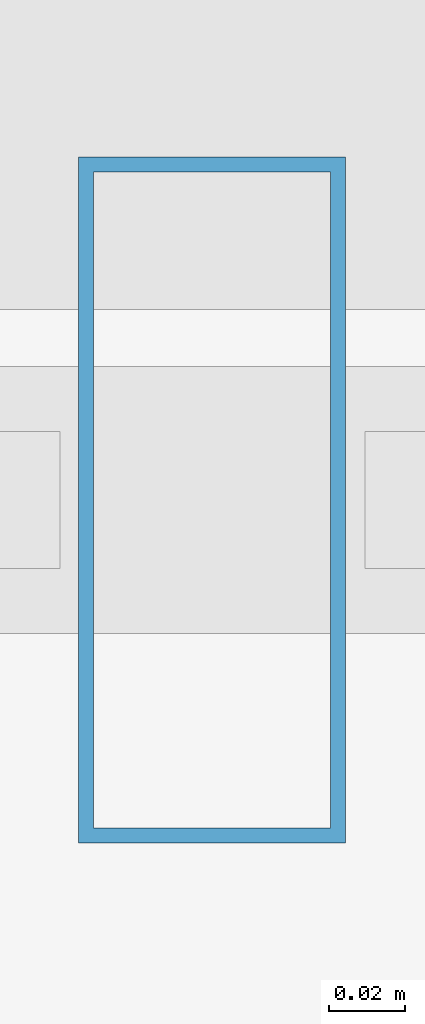
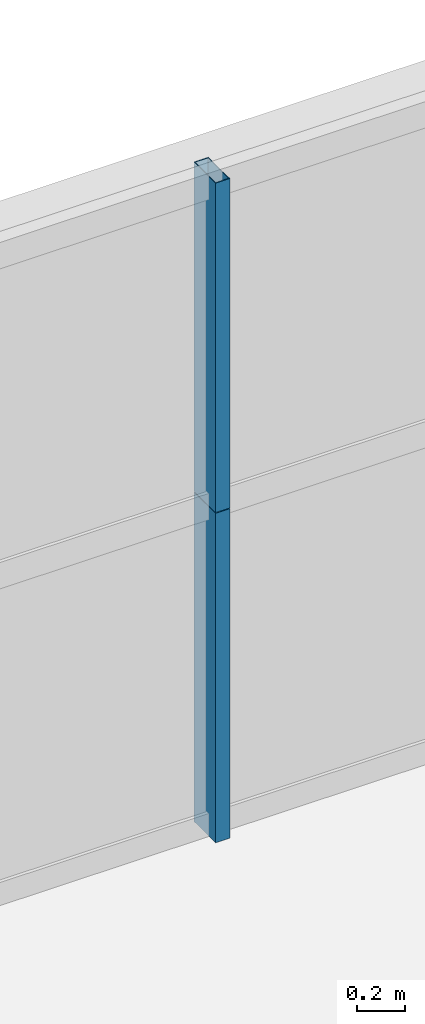
# One storey, part 30 of 46: 2 members, 1 element without a shape of its own.
"""IFC4 building model written with IfcOpenShell, lengths in metres."""

from ifc_helpers import new_model, si_unit, direction, frame, origin, origin_2d, place, context, subcontext, project, spatial, hollow_rectangle, extrude, source, transform, mapped, material, layer, layer_set, material_profile, profile_set, type_object, element, aggregate, save


model = new_model("IFC4")

# Units and contexts
model_context = context("Model", 3, precision=1e-05, world=origin(), true_north=direction((0.0, 1.0)))
body_context = subcontext(model_context, "Body", "Model", "MODEL_VIEW")
ifc_project = project(units=[si_unit("LENGTHUNIT", "METRE"), si_unit("AREAUNIT", "SQUARE_METRE"), si_unit("VOLUMEUNIT", "CUBIC_METRE"), si_unit("PLANEANGLEUNIT", "RADIAN"), si_unit("MASSUNIT", "GRAM", prefix="KILO"), si_unit("THERMODYNAMICTEMPERATUREUNIT", "KELVIN"), si_unit("POWERUNIT", "WATT")], contexts=[model_context])

# Site, building, storey
site_placement = place(None, origin())
site = spatial("IfcSite", under=ifc_project, at=site_placement, CompositionType="ELEMENT")
building_placement = place(site_placement, origin())
building = spatial("IfcBuilding", under=site, at=building_placement, Name="Yuzanri Waterfront Tower", CompositionType="ELEMENT")
storey_placement = place(building_placement, frame((0.0, 0.0, 56.800048828125)))
storey = spatial("IfcBuildingStorey", under=building, at=storey_placement, Name="L14", CompositionType="ELEMENT", Elevation=56.800048828125)

# Curtain wall, members
ifc_material_1 = material(Name="Anodized Architectural Bronze", Category="metal")
ifc_layer = layer(ifc_material_1, 0.159912109375)
ifc_layer_set = layer_set([ifc_layer], Name="Anodized Architectural Bronze")
curtain_wall_type = type_object("IfcCurtainWallType", Name="Anodized Bronze Hotel Lower-Tier Recessed Unitized Curtain Wall 8100", PredefinedType="NOTDEFINED", material=ifc_layer_set)
curtain_wall_placement = place(storey_placement, origin())
curtain_wall = element("IfcCurtainWall", 1, at=curtain_wall_placement, inside=storey, type_object=curtain_wall_type, Name="L14 Curtain Wall CW-L14-NL", PredefinedType="NOTDEFINED")
ifc_material_2 = material(Name="Anodized Architectural Bronze", Category="metal")
ifc_material_profile = material_profile(ifc_material_2, hollow_rectangle(XDim=0.070068359375, YDim=0.179931640625, WallThickness=0.00390625, at=origin_2d()), Name="CWM 70x180")
ifc_profile_set = profile_set([ifc_material_profile], Name="Anodized Architectural Bronze")
member_type = type_object("IfcMemberType", Name="Anodized Bronze Standard Curtain-Wall Mullion 70x180", PredefinedType="MULLION", material=ifc_profile_set)
shared_shape = source(origin(), body_context, "Body", "SweptSolid", [
    extrude(hollow_rectangle(XDim=0.070068359375, YDim=0.179931640625, WallThickness=0.00390625, at=origin_2d()), origin(), (0.0, 0.0, 1.0), 1.68798828125),
])
member_1_placement = place(storey_placement, frame((27.89990234375, 50.75, 0.0), z_axis=(0.0, 0.0, 1.0), x_axis=(1.0, 0.0, 0.0)))
member_1 = element("IfcMember", 2, at=member_1_placement, type_object=member_type, Name="CW-L14-NL Lower Mullion 01", PredefinedType="MULLION", context=body_context, shape_type="MappedRepresentation", body=[
    mapped(shared_shape, transform((0.0, 0.0, 0.0), scale=1.0)),
])
member_2_placement = place(storey_placement, frame((27.89990234375, 50.75, 1.69189453125), z_axis=(0.0, 0.0, 1.0), x_axis=(1.0, 0.0, 0.0)))
member_2 = element("IfcMember", 3, at=member_2_placement, type_object=member_type, Name="CW-L14-NL Upper Mullion 01", PredefinedType="MULLION", context=body_context, shape_type="MappedRepresentation", body=[
    mapped(shared_shape, transform((0.0, 0.0, 0.0), scale=1.0)),
])
aggregate(curtain_wall, [member_1, member_2])

save(model, "model.ifc")
